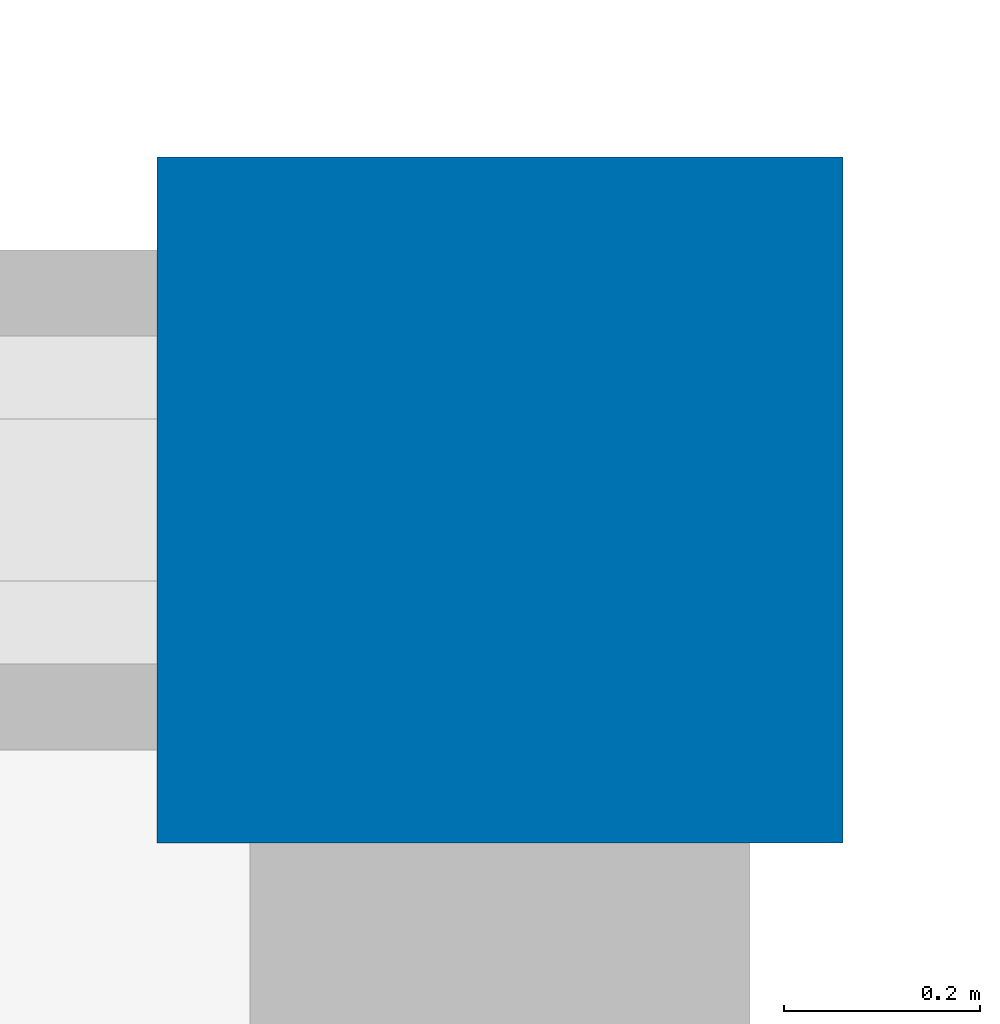
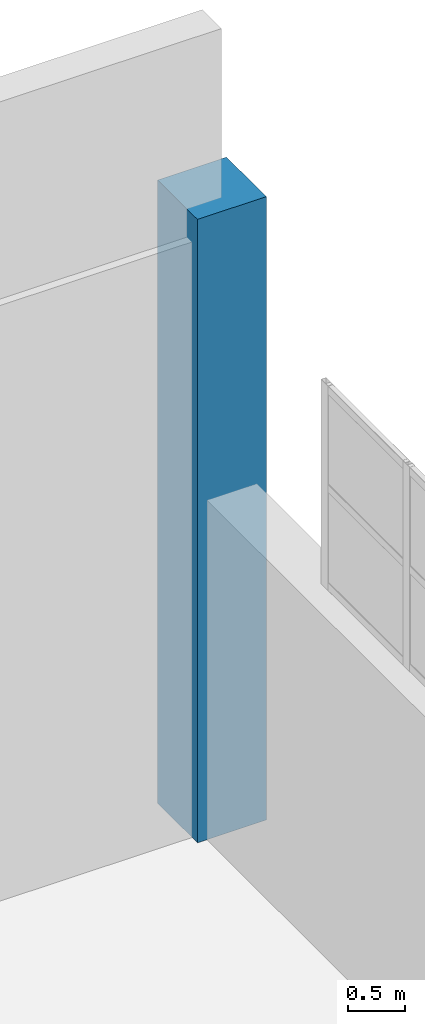
# One storey, part 8 of 197: 1 column.
"""IFC4 building model written with IfcOpenShell, lengths in metres."""

from ifc_helpers import new_model, si_unit, derived_unit, direction, frame, origin, origin_2d, place, context, subcontext, project, spatial, rectangle, extrude, material, material_profile, profile_set, type_object, element, save


model = new_model("IFC4")

# Units and contexts
model_context = context("Model", 3, precision=1e-05, world=origin(), true_north=direction((0.0, 1.0)))
body_context = subcontext(model_context, "Body", "Model", "MODEL_VIEW")
ifc_project = project(units=[si_unit("LENGTHUNIT", "METRE"), si_unit("AREAUNIT", "SQUARE_METRE"), si_unit("VOLUMEUNIT", "CUBIC_METRE"), si_unit("PLANEANGLEUNIT", "RADIAN"), si_unit("MASSUNIT", "GRAM", prefix="KILO"), derived_unit("THERMALTRANSMITTANCEUNIT", [(si_unit("POWERUNIT", "WATT"), 1), (si_unit("LENGTHUNIT", "METRE"), -2), (si_unit("THERMODYNAMICTEMPERATUREUNIT", "KELVIN"), -1)])], contexts=[model_context])

# Site, building, storey
site_placement = place(None, origin())
site = spatial("IfcSite", under=ifc_project, at=site_placement, CompositionType="ELEMENT")
building_placement = place(site_placement, origin())
building = spatial("IfcBuilding", under=site, at=building_placement, Name="Almenara Railside Exhibition Hall", CompositionType="ELEMENT")
storey_placement = place(building_placement, frame((0.0, 0.0, 5.39990234375)))
storey = spatial("IfcBuildingStorey", under=building, at=storey_placement, Name="L01", CompositionType="ELEMENT", Elevation=5.39990234375)

# Column
ifc_material = material(Name="Concrete C40/50", Category="concrete")
ifc_material_profile = material_profile(ifc_material, rectangle(XDim=0.699951171875, YDim=0.699951171875, at=origin_2d()), Name="RC 700x700")
ifc_profile_set = profile_set([ifc_material_profile], Name="Concrete C40/50")
column_type = type_object("IfcColumnType", Name="RC Column 700x700 C40/50", PredefinedType="COLUMN", material=ifc_profile_set)
column_placement = place(storey_placement, frame((192.0, 132.0, 0.0), z_axis=(0.0, 0.0, 1.0), x_axis=(1.0, 0.0, 0.0)))
element("IfcColumn", 1, at=column_placement, inside=storey, type_object=column_type, Name="Column 0132", PredefinedType="COLUMN", context=body_context, shape_type="SweptSolid", body=[
    extrude(rectangle(XDim=0.699951171875, YDim=0.699951171875, at=origin_2d()), origin(), (0.0, 0.0, 1.0), 6.7001953125),
])

save(model, "model.ifc")
